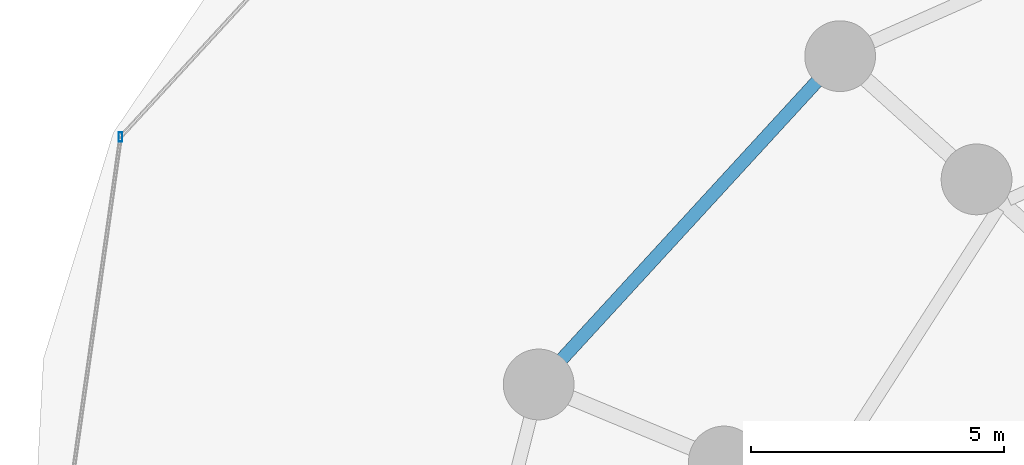
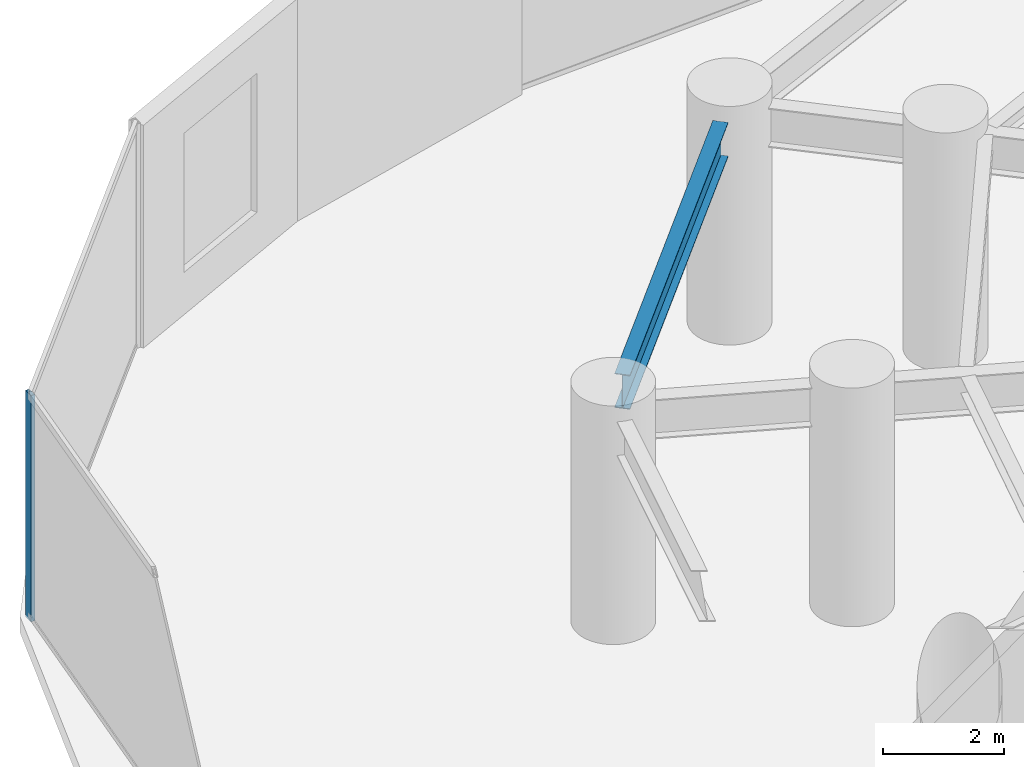
# One storey, part 13 of 30: 1 beam, 1 member, 1 element without a shape of its own.
"""IFC4 building model written with IfcOpenShell, lengths in metres."""

from ifc_helpers import new_model, si_unit, direction, frame, origin, origin_2d, place, context, subcontext, project, spatial, hollow_rectangle, i_section, extrude, material, material_profile, profile_set, type_object, element, aggregate, save


model = new_model("IFC4")

# Units and contexts
model_context = context("Model", 3, precision=1e-05, world=origin(), true_north=direction((0.0, 1.0)))
body_context = subcontext(model_context, "Body", "Model", "MODEL_VIEW")
ifc_project = project(units=[si_unit("LENGTHUNIT", "METRE"), si_unit("AREAUNIT", "SQUARE_METRE"), si_unit("VOLUMEUNIT", "CUBIC_METRE"), si_unit("PLANEANGLEUNIT", "RADIAN"), si_unit("MASSUNIT", "GRAM", prefix="KILO")], contexts=[model_context])

# Site, building, storey
site_placement = place(None, origin())
site = spatial("IfcSite", under=ifc_project, at=site_placement, CompositionType="ELEMENT")
building_placement = place(site_placement, origin())
building = spatial("IfcBuilding", under=site, at=building_placement, Name="Vorneva Point Tower", CompositionType="ELEMENT")
storey_placement = place(building_placement, frame((0.0, 0.0, 9.60009765625)))
storey = spatial("IfcBuildingStorey", under=building, at=storey_placement, Name="L02", CompositionType="ELEMENT", Elevation=9.60009765625)

# Beam
ifc_material_1 = material(Name="Steel S355", Category="steel")
ifc_material_profile_1 = material_profile(ifc_material_1, i_section(OverallWidth=0.260009765625, OverallDepth=0.69091796875, WebThickness=0.011962890625, FlangeThickness=0.015380859375, at=origin_2d()), Name="70B1")
ifc_profile_set_1 = profile_set([ifc_material_profile_1], Name="Steel S355")
beam_type = type_object("IfcBeamType", Name="BM-SPN-70B1", PredefinedType="SPANDREL", material=ifc_profile_set_1)
beam_placement = place(storey_placement, frame((18.539306640625, 40.09521484375, 4.134521484375), z_axis=(-0.676370155457, -0.73656188661, 0.0), x_axis=(0.73656188661, -0.676370155457, 0.0)))
element("IfcBeam", 1, at=beam_placement, inside=storey, type_object=beam_type, Name="L02 Perimeter Spandrel Ring Beam 07", PredefinedType="SPANDREL", context=body_context, shape_type="SweptSolid", body=[
    extrude(i_section(OverallWidth=0.260009765625, OverallDepth=0.69091796875, WebThickness=0.011962890625, FlangeThickness=0.015380859375, at=origin_2d()), origin(), (0.0, 0.0, 1.0), 7.447021484375),
])

# Curtain wall, member
ifc_material_2 = material(Name="Pale anodised aluminium", Category="aluminium")
curtain_wall_type = type_object("IfcCurtainWallType", Name="CW-POD-SYS", PredefinedType="NOTDEFINED", material=ifc_material_2)
curtain_wall_placement = place(storey_placement, origin())
curtain_wall = element("IfcCurtainWall", 2, at=curtain_wall_placement, inside=storey, type_object=curtain_wall_type, Name="L02 Unitised Curtain Wall CW-L02-R03", PredefinedType="NOTDEFINED")
ifc_material_profile_2 = material_profile(ifc_material_2, hollow_rectangle(XDim=0.074951171875, YDim=0.179931640625, WallThickness=0.00390625, at=origin_2d()), Name="AL-MUL 180x75x4")
ifc_profile_set_2 = profile_set([ifc_material_profile_2], Name="Pale anodised aluminium")
member_type = type_object("IfcMemberType", Name="CW-MUL-180", PredefinedType="MULLION", material=ifc_profile_set_2)
member_placement = place(storey_placement, frame((4.769287109375, 39.001708984375, -0.0400390625), z_axis=(0.0, 0.0, 1.0), x_axis=(1.0, 0.0, 0.0)))
member = element("IfcMember", 3, at=member_placement, type_object=member_type, Name="CW-L02-R03 Mullion 02", PredefinedType="MULLION", context=body_context, shape_type="SweptSolid", body=[
    extrude(hollow_rectangle(XDim=0.074951171875, YDim=0.179931640625, WallThickness=0.00390625, at=origin_2d()), origin(), (0.0, 0.0, 1.0), 4.550048828125),
])
aggregate(curtain_wall, [member])

save(model, "model.ifc")
